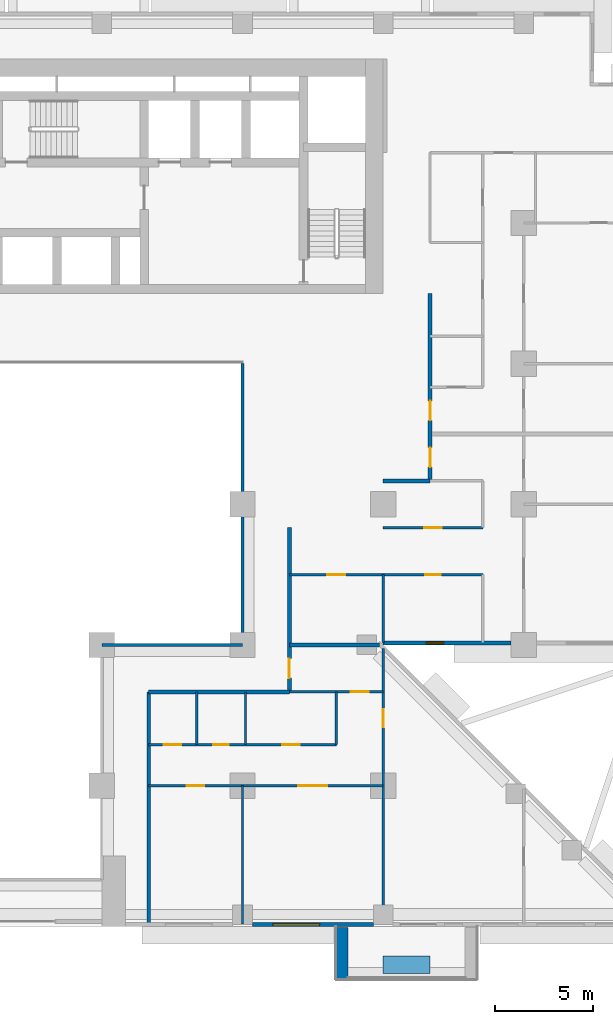
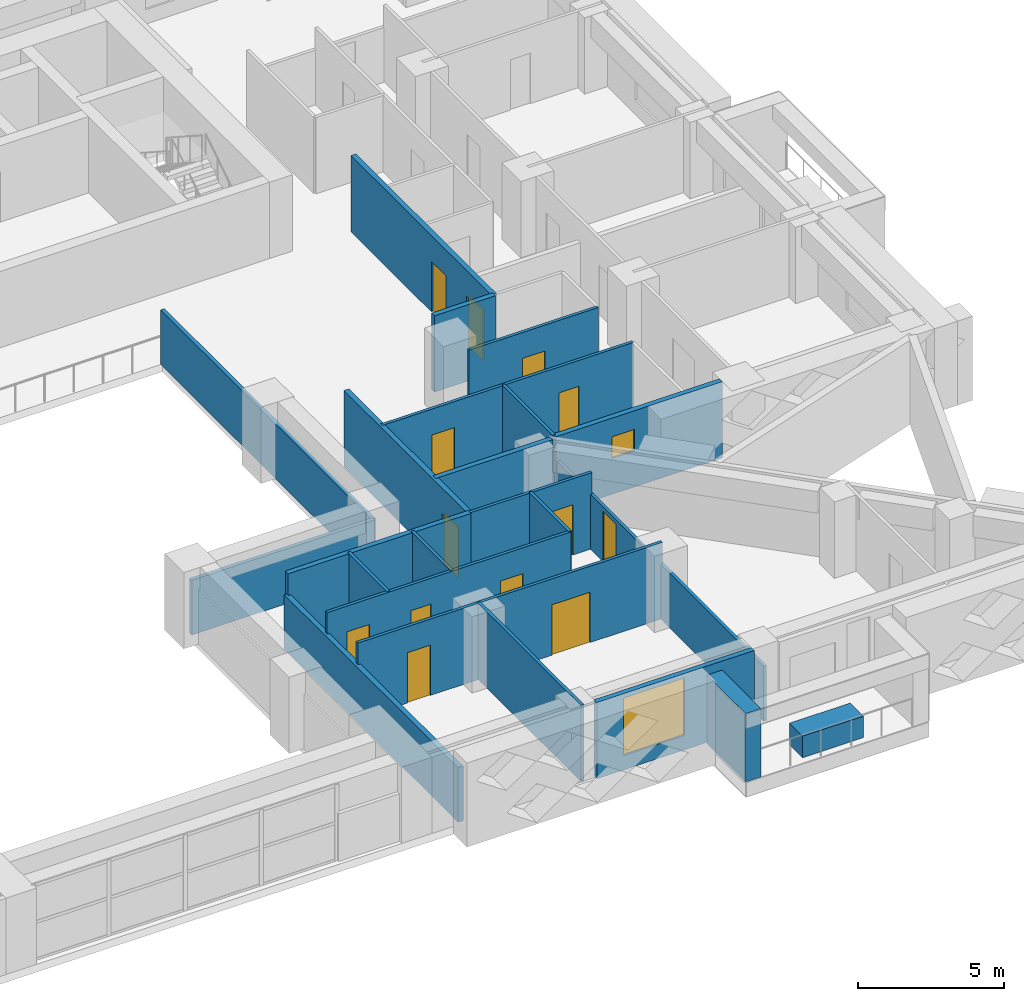
# One storey, part 8 of 17: 23 walls, 13 doors, 2 windows, 15 openings.
"""IFC4 building model written with IfcOpenShell, lengths in metres."""

from ifc_helpers import new_model, si_unit, direction, frame, frame_2d, origin, place, context, subcontext, project, spatial, rectangle, extrude, material, layer, layer_set, type_object, element, fill, save


model = new_model("IFC4")

# Units and contexts
model_context = context("Model", 3, precision=1e-05, world=origin(), true_north=direction((0.0, 1.0)))
body_context = subcontext(model_context, "Body", "Model", "MODEL_VIEW")
ifc_project = project(units=[si_unit("LENGTHUNIT", "METRE"), si_unit("AREAUNIT", "SQUARE_METRE"), si_unit("VOLUMEUNIT", "CUBIC_METRE"), si_unit("PLANEANGLEUNIT", "RADIAN"), si_unit("MASSUNIT", "GRAM", prefix="KILO")], contexts=[model_context])

# Site, building, storey
site_placement = place(None, origin())
site = spatial("IfcSite", under=ifc_project, at=site_placement, CompositionType="ELEMENT")
building_placement = place(site_placement, origin())
building = spatial("IfcBuilding", under=site, at=building_placement, Name="Saffron Iwan Residences", CompositionType="ELEMENT")
storey_placement = place(building_placement, frame((0.0, 0.0, 86.5)))
storey = spatial("IfcBuildingStorey", under=building, at=storey_placement, Name="L22", CompositionType="ELEMENT", Elevation=86.5)

# Walls
ifc_material_1 = material(Name="Fire-rated glazing", Category="glass")
ifc_layer_1 = layer(ifc_material_1, 0.14990234375)
ifc_layer_set_1 = layer_set([ifc_layer_1], Name="Fire-rated glazing")
wall_type_1 = type_object("IfcWallType", Name="Atrium glazed screen 150", PredefinedType="SOLIDWALL", material=ifc_layer_set_1)
wall_1_placement = place(storey_placement, frame((57.60009765625, 48.0, 0.0), z_axis=(0.0, 0.0, 1.0), x_axis=(1.0, 0.0, 0.0)))
element("IfcWall", 1, at=wall_1_placement, inside=storey, type_object=wall_type_1, Name="W-L22-SCREEN-h48-57.6", PredefinedType="SOLIDWALL", context=body_context, shape_type="SweptSolid", body=[
    extrude(rectangle(XDim=7.199951171875, YDim=0.14990234375, at=frame_2d((3.60009765625, 0.0))), origin(), (0.0, 0.0, 1.0), 2.280029296875),
])
wall_2_placement = place(storey_placement, frame((64.800048828125, 48.0, 0.0), z_axis=(0.0, 0.0, 1.0), x_axis=(0.0, 1.0, 0.0)))
element("IfcWall", 2, at=wall_2_placement, inside=storey, type_object=wall_type_1, Name="W-L22-SCREEN-v64.8-48", PredefinedType="SOLIDWALL", context=body_context, shape_type="SweptSolid", body=[
    extrude(rectangle(XDim=14.39990234375, YDim=0.14990234375, at=frame_2d((7.199951171875, 0.0))), origin(), (0.0, 0.0, 1.0), 2.280029296875),
])
ifc_material_2 = material(Name="Concrete C50/60 white painted", Category="concrete")
ifc_layer_2 = layer(ifc_material_2, 0.60009765625)
ifc_layer_set_2 = layer_set([ifc_layer_2], Name="Concrete C50/60 white painted")
wall_type_2 = type_object("IfcWallType", Name="BALCONY FIN 600", PredefinedType="SOLIDWALL", material=ifc_layer_set_2)
wall_3_placement = place(storey_placement, frame((69.89990234375, 33.550048828125, 0.0), z_axis=(0.0, 0.0, 1.0), x_axis=(0.0, -1.0, 0.0)))
element("IfcWall", 3, at=wall_3_placement, inside=storey, type_object=wall_type_2, Name="Balcony fin L22 11-1a", PredefinedType="SOLIDWALL", context=body_context, shape_type="SweptSolid", body=[
    extrude(rectangle(XDim=2.650146484375, YDim=0.60009765625, at=frame_2d((1.3251953125, 0.0))), origin(), (0.0, 0.0, 1.0), 2.85009765625),
])
ifc_material_3 = material(Name="Concrete C35/45 white painted", Category="concrete")
ifc_layer_3 = layer(ifc_material_3, 0.14990234375)
ifc_layer_set_3 = layer_set([ifc_layer_3], Name="Concrete C35/45 white painted")
wall_type_3 = type_object("IfcWallType", Name="BALCONY PLANTER", PredefinedType="SOLIDWALL", material=ifc_layer_set_3)
wall_4_placement = place(storey_placement, frame((72.0, 31.625, 0.0), z_axis=(0.0, 0.0, 1.0), x_axis=(1.0, 0.0, 0.0)))
element("IfcWall", 4, at=wall_4_placement, inside=storey, type_object=wall_type_3, Name="PLANTER L22 11-1", PredefinedType="SOLIDWALL", context=body_context, shape_type="SweptSolid", body=[
    extrude(rectangle(XDim=2.39990234375, YDim=0.89990234375, at=frame_2d((1.199951171875, 0.0))), origin(), (0.0, 0.0, 1.0), 0.89990234375),
])

# Wall, opening, window
ifc_material_4 = material(Name="Concrete C40/50", Category="concrete")
ifc_layer_4 = layer(ifc_material_4, 0.199951171875)
ifc_layer_set_4 = layer_set([ifc_layer_4], Name="Concrete C40/50")
wall_type_4 = type_object("IfcWallType", Name="EXTERNAL WALL 200", PredefinedType="SOLIDWALL", material=ifc_layer_set_4)
wall_5_placement = place(storey_placement, frame((71.988525390625, 48.10009765625, 0.0), z_axis=(0.0, 0.0, 1.0), x_axis=(1.0, 0.0, 0.0)))
wall_5 = element("IfcWall", 5, at=wall_5_placement, inside=storey, type_object=wall_type_4, Name="External wall L22 F1.0", PredefinedType="SOLIDWALL", context=body_context, shape_type="SweptSolid", body=[
    extrude(rectangle(XDim=6.5615234375, YDim=0.199951171875, at=frame_2d((3.28076171875, 0.0))), origin(), (0.0, 0.0, 1.0), 3.179931640625),
])
opening_1_placement = place(wall_5_placement, frame((2.205810546875, 0.0, 1.5)))
opening_1 = element("IfcOpeningElement", 6, at=opening_1_placement, cuts=wall_5, Name="Opening W6", PredefinedType="OPENING", context=body_context, shape_type="SweptSolid", body=[
    extrude(rectangle(XDim=0.89990234375, YDim=0.89990234375, at=frame_2d((0.449951171875, 0.449951171875))), frame((0.0, 0.10986328125, 0.0), z_axis=(0.0, -1.0, 0.0), x_axis=(1.0, 0.0, 0.0)), (0.0, 0.0, 1.0), 0.219970703125),
])
ifc_material_5 = material(Name="Clear glass, laminated double glazed", Category="glass")
window_type_1 = type_object("IfcWindowType", Name="WINDOW 900 x 900 BATH", PartitioningType="SINGLE_PANEL", PredefinedType="WINDOW", material=ifc_material_5)
window_1_placement = place(opening_1_placement, origin())
window_1 = element("IfcWindow", 7, at=window_1_placement, inside=storey, type_object=window_type_1, Name="Window L22 F1.0", OverallHeight=0.89990234375, OverallWidth=0.89990234375, PartitioningType="SINGLE_PANEL", PredefinedType="WINDOW", context=body_context, shape_type="SweptSolid", body=[
    extrude(rectangle(XDim=0.89990234375, YDim=0.89990234375, at=frame_2d((0.449951171875, 0.449951171875))), frame((0.0, 0.030029296875, 0.0), z_axis=(0.0, -1.0, 0.0), x_axis=(1.0, 0.0, 0.0)), (0.0, 0.0, 1.0), 0.06005859375),
])
fill(opening_1, window_1)

wall_6_placement = place(storey_placement, frame((65.300048828125, 33.699951171875, 0.0), z_axis=(0.0, 0.0, 1.0), x_axis=(1.0, 0.0, 0.0)))
wall_6 = element("IfcWall", 8, at=wall_6_placement, inside=storey, type_object=wall_type_4, Name="External wall L22 F11.5", PredefinedType="SOLIDWALL", context=body_context, shape_type="SweptSolid", body=[
    extrude(rectangle(XDim=6.199951171875, YDim=0.199951171875, at=frame_2d((3.10009765625, 0.0))), origin(), (0.0, 0.0, 1.0), 3.179931640625),
])
opening_2_placement = place(wall_6_placement, frame((1.050048828125, 0.0, 0.60009765625)))
opening_2 = element("IfcOpeningElement", 9, at=opening_2_placement, cuts=wall_6, Name="Opening W1", PredefinedType="OPENING", context=body_context, shape_type="SweptSolid", body=[
    extrude(rectangle(XDim=2.39990234375, YDim=2.39990234375, at=frame_2d((1.199951171875, 1.199951171875))), frame((0.0, 0.10986328125, 0.0), z_axis=(0.0, -1.0, 0.0), x_axis=(1.0, 0.0, 0.0)), (0.0, 0.0, 1.0), 0.219970703125),
])
window_type_2 = type_object("IfcWindowType", Name="WINDOW 2400 x 2400", PartitioningType="DOUBLE_PANEL_VERTICAL", PredefinedType="WINDOW", material=ifc_material_5)
window_2_placement = place(opening_2_placement, origin())
window_2 = element("IfcWindow", 10, at=window_2_placement, inside=storey, type_object=window_type_2, Name="Window L22 F11.0", OverallHeight=2.39990234375, OverallWidth=2.39990234375, PartitioningType="DOUBLE_PANEL_VERTICAL", PredefinedType="WINDOW", context=body_context, shape_type="SweptSolid", body=[
    extrude(rectangle(XDim=2.39990234375, YDim=2.39990234375, at=frame_2d((1.199951171875, 1.199951171875))), frame((0.0, 0.030029296875, 0.0), z_axis=(0.0, -1.0, 0.0), x_axis=(1.0, 0.0, 0.0)), (0.0, 0.0, 1.0), 0.06005859375),
])
fill(opening_2, window_2)

# Wall
ifc_material_6 = material(Name="Fire-rated gypsum board wall")
ifc_layer_5 = layer(ifc_material_6, 0.199951171875)
ifc_layer_set_5 = layer_set([ifc_layer_5], Name="Fire-rated gypsum board wall")
wall_type_5 = type_object("IfcWallType", Name="Flat demising wall 200", PredefinedType="SOLIDWALL", material=ifc_layer_set_5)
wall_7_placement = place(storey_placement, frame((67.199951171875, 48.0, 0.0), z_axis=(0.0, 0.0, 1.0), x_axis=(1.0, 0.0, 0.0)))
element("IfcWall", 11, at=wall_7_placement, inside=storey, type_object=wall_type_5, Name="W-L22-DEMISE-h48-67.2", PredefinedType="SOLIDWALL", context=body_context, shape_type="SweptSolid", body=[
    extrude(rectangle(XDim=4.623046875, YDim=0.199951171875, at=frame_2d((2.3115234375, 0.0))), origin(), (0.0, 0.0, 1.0), 3.179931640625),
])

# Wall, openings, doors
ifc_material_7 = material(Name="Gypsum board partition")
ifc_layer_6 = layer(ifc_material_7, 0.1201171875)
ifc_layer_set_6 = layer_set([ifc_layer_6], Name="Gypsum board partition")
wall_type_6 = type_object("IfcWallType", Name="Flat partition 120", PredefinedType="PARTITIONING", material=ifc_layer_set_6)
wall_8_placement = place(storey_placement, frame((60.0, 40.800048828125, 0.0), z_axis=(0.0, 0.0, 1.0), x_axis=(1.0, 0.0, 0.0)))
wall_8 = element("IfcWall", 12, at=wall_8_placement, inside=storey, type_object=wall_type_6, Name="W-L22-PART-h40.8-60", PredefinedType="PARTITIONING", context=body_context, shape_type="SweptSolid", body=[
    extrude(rectangle(XDim=12.0, YDim=0.1201171875, at=frame_2d((6.0, 0.0))), origin(), (0.0, 0.0, 1.0), 3.179931640625),
])
opening_3_placement = place(wall_8_placement, frame((7.64990234375, 0.0, 0.0)))
opening_3 = element("IfcOpeningElement", 13, at=opening_3_placement, cuts=wall_8, Name="Opening FD4", PredefinedType="OPENING", context=body_context, shape_type="SweptSolid", body=[
    extrude(rectangle(XDim=1.5, YDim=2.10009765625, at=frame_2d((0.75, 1.050048828125))), frame((0.0, 0.070068359375, 0.0), z_axis=(0.0, -1.0, 0.0), x_axis=(1.0, 0.0, 0.0)), (0.0, 0.0, 1.0), 0.14013671875),
])
opening_4_placement = place(wall_8_placement, frame((1.949951171875, 0.0, 0.0)))
opening_4 = element("IfcOpeningElement", 14, at=opening_4_placement, cuts=wall_8, Name="Opening FD2", PredefinedType="OPENING", context=body_context, shape_type="SweptSolid", body=[
    extrude(rectangle(XDim=0.89990234375, YDim=2.10009765625, at=frame_2d((0.449951171875, 1.050048828125))), frame((0.0, 0.070068359375, 0.0), z_axis=(0.0, -1.0, 0.0), x_axis=(1.0, 0.0, 0.0)), (0.0, 0.0, 1.0), 0.14013671875),
])
ifc_material_8 = material(Name="Timber door", Category="wood")
door_type_1 = type_object("IfcDoorType", Name="Double door 1500", OperationType="NOTDEFINED", PredefinedType="DOOR", material=ifc_material_8)
door_1_placement = place(opening_3_placement, origin())
door_1 = element("IfcDoor", 15, at=door_1_placement, inside=storey, type_object=door_type_1, Name="Door L22-044", OperationType="SINGLE_SWING_LEFT", OverallHeight=2.10009765625, OverallWidth=1.5, PredefinedType="DOOR", context=body_context, shape_type="SweptSolid", body=[
    extrude(rectangle(XDim=1.5, YDim=2.10009765625, at=frame_2d((0.75, 1.050048828125))), frame((0.0, 0.02490234375, 0.0), z_axis=(0.0, -1.0, 0.0), x_axis=(1.0, 0.0, 0.0)), (0.0, 0.0, 1.0), 0.050048828125),
])
fill(opening_3, door_1)
door_type_2 = type_object("IfcDoorType", Name="Flat door 900", OperationType="NOTDEFINED", PredefinedType="DOOR", material=ifc_material_8)
door_2_placement = place(opening_4_placement, origin())
door_2 = element("IfcDoor", 16, at=door_2_placement, inside=storey, type_object=door_type_2, Name="Door L22-045", OperationType="SINGLE_SWING_RIGHT", OverallHeight=2.10009765625, OverallWidth=0.89990234375, PredefinedType="DOOR", context=body_context, shape_type="SweptSolid", body=[
    extrude(rectangle(XDim=0.89990234375, YDim=2.10009765625, at=frame_2d((0.449951171875, 1.050048828125))), frame((0.0, 0.02490234375, 0.0), z_axis=(0.0, -1.0, 0.0), x_axis=(1.0, 0.0, 0.0)), (0.0, 0.0, 1.0), 0.050048828125),
])
fill(opening_4, door_2)

wall_9_placement = place(storey_placement, frame((60.0, 42.89990234375, 0.0), z_axis=(0.0, 0.0, 1.0), x_axis=(1.0, 0.0, 0.0)))
wall_9 = element("IfcWall", 17, at=wall_9_placement, inside=storey, type_object=wall_type_6, Name="W-L22-PART-h42.9-60", PredefinedType="PARTITIONING", context=body_context, shape_type="SweptSolid", body=[
    extrude(rectangle(XDim=9.60009765625, YDim=0.1201171875, at=frame_2d((4.800048828125, 0.0))), origin(), (0.0, 0.0, 1.0), 3.179931640625),
])
opening_5_placement = place(wall_9_placement, frame((6.824951171875, 0.0, 0.0)))
opening_5 = element("IfcOpeningElement", 18, at=opening_5_placement, cuts=wall_9, Name="Opening FD2", PredefinedType="OPENING", context=body_context, shape_type="SweptSolid", body=[
    extrude(rectangle(XDim=0.89990234375, YDim=2.10009765625, at=frame_2d((0.449951171875, 1.050048828125))), frame((0.0, 0.070068359375, 0.0), z_axis=(0.0, -1.0, 0.0), x_axis=(1.0, 0.0, 0.0)), (0.0, 0.0, 1.0), 0.14013671875),
])
opening_6_placement = place(wall_9_placement, frame((3.300048828125, 0.0, 0.0)))
opening_6 = element("IfcOpeningElement", 19, at=opening_6_placement, cuts=wall_9, Name="Opening FD3", PredefinedType="OPENING", context=body_context, shape_type="SweptSolid", body=[
    extrude(rectangle(XDim=0.800048828125, YDim=2.10009765625, at=frame_2d((0.39990234375, 1.050048828125))), frame((0.0, 0.070068359375, 0.0), z_axis=(0.0, -1.0, 0.0), x_axis=(1.0, 0.0, 0.0)), (0.0, 0.0, 1.0), 0.14013671875),
])
opening_7_placement = place(wall_9_placement, frame((0.77490234375, 0.0, 0.0)))
opening_7 = element("IfcOpeningElement", 20, at=opening_7_placement, cuts=wall_9, Name="Opening FD2", PredefinedType="OPENING", context=body_context, shape_type="SweptSolid", body=[
    extrude(rectangle(XDim=0.89990234375, YDim=2.10009765625, at=frame_2d((0.449951171875, 1.050048828125))), frame((0.0, 0.070068359375, 0.0), z_axis=(0.0, -1.0, 0.0), x_axis=(1.0, 0.0, 0.0)), (0.0, 0.0, 1.0), 0.14013671875),
])
door_type_3 = type_object("IfcDoorType", Name="Bathroom door 800", OperationType="NOTDEFINED", PredefinedType="DOOR", material=ifc_material_8)
door_3_placement = place(opening_6_placement, origin())
door_3 = element("IfcDoor", 21, at=door_3_placement, inside=storey, type_object=door_type_3, Name="Door L22-047", OperationType="SINGLE_SWING_LEFT", OverallHeight=2.10009765625, OverallWidth=0.800048828125, PredefinedType="DOOR", context=body_context, shape_type="SweptSolid", body=[
    extrude(rectangle(XDim=0.800048828125, YDim=2.10009765625, at=frame_2d((0.39990234375, 1.050048828125))), frame((0.0, 0.02490234375, 0.0), z_axis=(0.0, -1.0, 0.0), x_axis=(1.0, 0.0, 0.0)), (0.0, 0.0, 1.0), 0.050048828125),
])
fill(opening_6, door_3)
door_4_placement = place(opening_5_placement, origin())
door_4 = element("IfcDoor", 22, at=door_4_placement, inside=storey, type_object=door_type_2, Name="Door L22-046", OperationType="SINGLE_SWING_LEFT", OverallHeight=2.10009765625, OverallWidth=0.89990234375, PredefinedType="DOOR", context=body_context, shape_type="SweptSolid", body=[
    extrude(rectangle(XDim=0.89990234375, YDim=2.10009765625, at=frame_2d((0.449951171875, 1.050048828125))), frame((0.0, 0.02490234375, 0.0), z_axis=(0.0, -1.0, 0.0), x_axis=(1.0, 0.0, 0.0)), (0.0, 0.0, 1.0), 0.050048828125),
])
fill(opening_5, door_4)
door_5_placement = place(opening_7_placement, origin())
door_5 = element("IfcDoor", 23, at=door_5_placement, inside=storey, type_object=door_type_2, Name="Door L22-048", OperationType="SINGLE_SWING_RIGHT", OverallHeight=2.10009765625, OverallWidth=0.89990234375, PredefinedType="DOOR", context=body_context, shape_type="SweptSolid", body=[
    extrude(rectangle(XDim=0.89990234375, YDim=2.10009765625, at=frame_2d((0.449951171875, 1.050048828125))), frame((0.0, 0.02490234375, 0.0), z_axis=(0.0, -1.0, 0.0), x_axis=(1.0, 0.0, 0.0)), (0.0, 0.0, 1.0), 0.050048828125),
])
fill(opening_7, door_5)

# Wall, opening, door
wall_10_placement = place(storey_placement, frame((67.199951171875, 45.60009765625, 0.0), z_axis=(0.0, 0.0, 1.0), x_axis=(1.0, 0.0, 0.0)))
wall_10 = element("IfcWall", 24, at=wall_10_placement, inside=storey, type_object=wall_type_6, Name="W-L22-PART-h45.6-67.2", PredefinedType="PARTITIONING", context=body_context, shape_type="SweptSolid", body=[
    extrude(rectangle(XDim=4.800048828125, YDim=0.1201171875, at=frame_2d((2.39990234375, 0.0))), origin(), (0.0, 0.0, 1.0), 3.179931640625),
])
opening_8_placement = place(wall_10_placement, frame((3.14990234375, 0.0, 0.0)))
opening_8 = element("IfcOpeningElement", 25, at=opening_8_placement, cuts=wall_10, Name="Opening FD2", PredefinedType="OPENING", context=body_context, shape_type="SweptSolid", body=[
    extrude(rectangle(XDim=0.89990234375, YDim=2.10009765625, at=frame_2d((0.449951171875, 1.050048828125))), frame((0.0, 0.070068359375, 0.0), z_axis=(0.0, -1.0, 0.0), x_axis=(1.0, 0.0, 0.0)), (0.0, 0.0, 1.0), 0.14013671875),
])
door_6_placement = place(opening_8_placement, origin())
door_6 = element("IfcDoor", 26, at=door_6_placement, inside=storey, type_object=door_type_2, Name="Door L22-042", OperationType="SINGLE_SWING_RIGHT", OverallHeight=2.10009765625, OverallWidth=0.89990234375, PredefinedType="DOOR", context=body_context, shape_type="SweptSolid", body=[
    extrude(rectangle(XDim=0.89990234375, YDim=2.10009765625, at=frame_2d((0.449951171875, 1.050048828125))), frame((0.0, 0.02490234375, 0.0), z_axis=(0.0, -1.0, 0.0), x_axis=(1.0, 0.0, 0.0)), (0.0, 0.0, 1.0), 0.050048828125),
])
fill(opening_8, door_6)

# Wall, openings, doors
wall_11_placement = place(storey_placement, frame((67.199951171875, 51.60009765625, 0.0), z_axis=(0.0, 0.0, 1.0), x_axis=(1.0, 0.0, 0.0)))
wall_11 = element("IfcWall", 27, at=wall_11_placement, inside=storey, type_object=wall_type_6, Name="W-L22-PART-h51.6-67.2", PredefinedType="PARTITIONING", context=body_context, shape_type="SweptSolid", body=[
    extrude(rectangle(XDim=9.900146484375, YDim=0.1201171875, at=frame_2d((4.9501953125, 0.0))), origin(), (0.0, 0.0, 1.0), 3.179931640625),
])
opening_9_placement = place(wall_11_placement, frame((6.949951171875, 0.0, 0.0)))
opening_9 = element("IfcOpeningElement", 28, at=opening_9_placement, cuts=wall_11, Name="Opening FD3", PredefinedType="OPENING", context=body_context, shape_type="SweptSolid", body=[
    extrude(rectangle(XDim=0.800048828125, YDim=2.10009765625, at=frame_2d((0.39990234375, 1.050048828125))), frame((0.0, 0.070068359375, 0.0), z_axis=(0.0, -1.0, 0.0), x_axis=(1.0, 0.0, 0.0)), (0.0, 0.0, 1.0), 0.14013671875),
])
opening_10_placement = place(wall_11_placement, frame((1.949951171875, 0.0, 0.0)))
opening_10 = element("IfcOpeningElement", 29, at=opening_10_placement, cuts=wall_11, Name="Opening FD2", PredefinedType="OPENING", context=body_context, shape_type="SweptSolid", body=[
    extrude(rectangle(XDim=0.89990234375, YDim=2.10009765625, at=frame_2d((0.449951171875, 1.050048828125))), frame((0.0, 0.070068359375, 0.0), z_axis=(0.0, -1.0, 0.0), x_axis=(1.0, 0.0, 0.0)), (0.0, 0.0, 1.0), 0.14013671875),
])
door_7_placement = place(opening_9_placement, origin())
door_7 = element("IfcDoor", 30, at=door_7_placement, inside=storey, type_object=door_type_3, Name="Door L22-024", OperationType="SINGLE_SWING_RIGHT", OverallHeight=2.10009765625, OverallWidth=0.800048828125, PredefinedType="DOOR", context=body_context, shape_type="SweptSolid", body=[
    extrude(rectangle(XDim=0.800048828125, YDim=2.10009765625, at=frame_2d((0.39990234375, 1.050048828125))), frame((0.0, 0.02490234375, 0.0), z_axis=(0.0, -1.0, 0.0), x_axis=(1.0, 0.0, 0.0)), (0.0, 0.0, 1.0), 0.050048828125),
])
fill(opening_9, door_7)
door_8_placement = place(opening_10_placement, origin())
door_8 = element("IfcDoor", 31, at=door_8_placement, inside=storey, type_object=door_type_2, Name="Door L22-026", OperationType="SINGLE_SWING_LEFT", OverallHeight=2.10009765625, OverallWidth=0.89990234375, PredefinedType="DOOR", context=body_context, shape_type="SweptSolid", body=[
    extrude(rectangle(XDim=0.89990234375, YDim=2.10009765625, at=frame_2d((0.449951171875, 1.050048828125))), frame((0.0, 0.02490234375, 0.0), z_axis=(0.0, -1.0, 0.0), x_axis=(1.0, 0.0, 0.0)), (0.0, 0.0, 1.0), 0.050048828125),
])
fill(opening_10, door_8)

# Wall, opening, door
wall_12_placement = place(storey_placement, frame((72.0, 54.0, 0.0), z_axis=(0.0, 0.0, 1.0), x_axis=(1.0, 0.0, 0.0)))
wall_12 = element("IfcWall", 32, at=wall_12_placement, inside=storey, type_object=wall_type_6, Name="W-L22-PART-h54-72", PredefinedType="PARTITIONING", context=body_context, shape_type="SweptSolid", body=[
    extrude(rectangle(XDim=5.10009765625, YDim=0.1201171875, at=frame_2d((2.550048828125, 0.0))), origin(), (0.0, 0.0, 1.0), 3.179931640625),
])
opening_11_placement = place(wall_12_placement, frame((2.10009765625, 0.0, 0.0)))
opening_11 = element("IfcOpeningElement", 33, at=opening_11_placement, cuts=wall_12, Name="Opening FD2", PredefinedType="OPENING", context=body_context, shape_type="SweptSolid", body=[
    extrude(rectangle(XDim=0.89990234375, YDim=2.10009765625, at=frame_2d((0.449951171875, 1.050048828125))), frame((0.0, 0.070068359375, 0.0), z_axis=(0.0, -1.0, 0.0), x_axis=(1.0, 0.0, 0.0)), (0.0, 0.0, 1.0), 0.14013671875),
])
door_9_placement = place(opening_11_placement, origin())
door_9 = element("IfcDoor", 34, at=door_9_placement, inside=storey, type_object=door_type_2, Name="Door L22-025", OperationType="SINGLE_SWING_LEFT", OverallHeight=2.10009765625, OverallWidth=0.89990234375, PredefinedType="DOOR", context=body_context, shape_type="SweptSolid", body=[
    extrude(rectangle(XDim=0.89990234375, YDim=2.10009765625, at=frame_2d((0.449951171875, 1.050048828125))), frame((0.0, 0.02490234375, 0.0), z_axis=(0.0, -1.0, 0.0), x_axis=(1.0, 0.0, 0.0)), (0.0, 0.0, 1.0), 0.050048828125),
])
fill(opening_11, door_9)

# Walls
wall_13_placement = place(storey_placement, frame((62.449951171875, 42.89990234375, 0.0), z_axis=(0.0, 0.0, 1.0), x_axis=(0.0, 1.0, 0.0)))
element("IfcWall", 35, at=wall_13_placement, inside=storey, type_object=wall_type_6, Name="W-L22-PART-v62.45-42.9", PredefinedType="PARTITIONING", context=body_context, shape_type="SweptSolid", body=[
    extrude(rectangle(XDim=2.7001953125, YDim=0.1201171875, at=frame_2d((1.35009765625, 0.0))), origin(), (0.0, 0.0, 1.0), 3.179931640625),
])
wall_14_placement = place(storey_placement, frame((64.800048828125, 33.72509765625, 0.0), z_axis=(0.0, 0.0, 1.0), x_axis=(0.0, 1.0, 0.0)))
element("IfcWall", 36, at=wall_14_placement, inside=storey, type_object=wall_type_6, Name="W-L22-PART-v64.8-33.725", PredefinedType="PARTITIONING", context=body_context, shape_type="SweptSolid", body=[
    extrude(rectangle(XDim=7.074951171875, YDim=0.1201171875, at=frame_2d((3.53759765625, 0.0))), origin(), (0.0, 0.0, 1.0), 3.179931640625),
])
for number, where, z_axis, x_axis, name in (
    (37, (64.949951171875, 42.89990234375, 0.0), (0.0, 0.0, 1.0), (0.0, 1.0, 0.0), "W-L22-PART-v64.95-42.9"),
    (38, (69.60009765625, 42.89990234375, 0.0), (0.0, 0.0, 1.0), (0.0, 1.0, 0.0), "W-L22-PART-v69.6-42.9"),
):
    element("IfcWall", number, at=place(storey_placement, frame(where, z_axis=z_axis, x_axis=x_axis)), inside=storey, type_object=wall_type_6, Name=name, PredefinedType="PARTITIONING", context=body_context, shape_type="SweptSolid", body=[
        extrude(rectangle(XDim=2.7001953125, YDim=0.1201171875, at=frame_2d((1.35009765625, 0.0))), origin(), (0.0, 0.0, 1.0), 3.179931640625),
    ])

# Wall, opening, door
wall_15_placement = place(storey_placement, frame((72.0, 33.72509765625, 0.0), z_axis=(0.0, 0.0, 1.0), x_axis=(0.0, 1.0, 0.0)))
wall_15 = element("IfcWall", 39, at=wall_15_placement, inside=storey, type_object=wall_type_6, Name="W-L22-PART-v72-33.725", PredefinedType="PARTITIONING", context=body_context, shape_type="SweptSolid", body=[
    extrude(rectangle(XDim=14.097900390625, YDim=0.1201171875, at=frame_2d((7.048828125, 0.0))), origin(), (0.0, 0.0, 1.0), 2.280029296875),
])
opening_12_placement = place(wall_15_placement, frame((10.074951171875, 0.0, 0.0)))
opening_12 = element("IfcOpeningElement", 40, at=opening_12_placement, cuts=wall_15, Name="Opening FD2", PredefinedType="OPENING", context=body_context, shape_type="SweptSolid", body=[
    extrude(rectangle(XDim=0.89990234375, YDim=2.10009765625, at=frame_2d((0.449951171875, 1.050048828125))), frame((0.0, 0.070068359375, 0.0), z_axis=(0.0, -1.0, 0.0), x_axis=(1.0, 0.0, 0.0)), (0.0, 0.0, 1.0), 0.14013671875),
])
door_10_placement = place(opening_12_placement, origin())
door_10 = element("IfcDoor", 41, at=door_10_placement, inside=storey, type_object=door_type_2, Name="Door L22-049", OperationType="SINGLE_SWING_LEFT", OverallHeight=2.10009765625, OverallWidth=0.89990234375, PredefinedType="DOOR", context=body_context, shape_type="SweptSolid", body=[
    extrude(rectangle(XDim=0.89990234375, YDim=2.10009765625, at=frame_2d((0.449951171875, 1.050048828125))), frame((0.0, 0.02490234375, 0.0), z_axis=(0.0, -1.0, 0.0), x_axis=(1.0, 0.0, 0.0)), (0.0, 0.0, 1.0), 0.050048828125),
])
fill(opening_12, door_10)

# Walls
wall_16_placement = place(storey_placement, frame((72.0, 48.125, 0.0), z_axis=(0.0, 0.0, 1.0), x_axis=(0.0, 1.0, 0.0)))
element("IfcWall", 42, at=wall_16_placement, inside=storey, type_object=wall_type_6, Name="W-L22-PART-v72-48.125", PredefinedType="PARTITIONING", context=body_context, shape_type="SweptSolid", body=[
    extrude(rectangle(XDim=3.47509765625, YDim=0.1201171875, at=frame_2d((1.737548828125, 0.0))), origin(), (0.0, 0.0, 1.0), 3.179931640625),
])
ifc_layer_7 = layer(ifc_material_6, 0.199951171875)
ifc_layer_set_7 = layer_set([ifc_layer_7], Name="Fire-rated gypsum board wall")
wall_type_7 = type_object("IfcWallType", Name="Gallery wall 200", PredefinedType="SOLIDWALL", material=ifc_layer_set_7)
wall_17_placement = place(storey_placement, frame((60.0, 45.60009765625, 0.0), z_axis=(0.0, 0.0, 1.0), x_axis=(1.0, 0.0, 0.0)))
element("IfcWall", 43, at=wall_17_placement, inside=storey, type_object=wall_type_7, Name="W-L22-CORR-h45.6-60", PredefinedType="SOLIDWALL", context=body_context, shape_type="SweptSolid", body=[
    extrude(rectangle(XDim=7.199951171875, YDim=0.199951171875, at=frame_2d((3.60009765625, 0.0))), origin(), (0.0, 0.0, 1.0), 3.179931640625),
])
wall_18_placement = place(storey_placement, frame((72.0, 56.39990234375, 0.0), z_axis=(0.0, 0.0, 1.0), x_axis=(1.0, 0.0, 0.0)))
element("IfcWall", 44, at=wall_18_placement, inside=storey, type_object=wall_type_7, Name="W-L22-CORR-h56.4-72", PredefinedType="SOLIDWALL", context=body_context, shape_type="SweptSolid", body=[
    extrude(rectangle(XDim=2.39990234375, YDim=0.199951171875, at=frame_2d((1.199951171875, 0.0))), origin(), (0.0, 0.0, 1.0), 3.179931640625),
])
wall_19_placement = place(storey_placement, frame((60.0, 33.72509765625, 0.0), z_axis=(0.0, 0.0, 1.0), x_axis=(0.0, 1.0, 0.0)))
element("IfcWall", 45, at=wall_19_placement, inside=storey, type_object=wall_type_7, Name="W-L22-CORR-v60-33.725", PredefinedType="SOLIDWALL", context=body_context, shape_type="SweptSolid", body=[
    extrude(rectangle(XDim=11.875, YDim=0.199951171875, at=frame_2d((5.9375, 0.0))), origin(), (0.0, 0.0, 1.0), 2.280029296875),
])

# Wall, opening, door
wall_20_placement = place(storey_placement, frame((67.199951171875, 45.60009765625, 0.0), z_axis=(0.0, 0.0, 1.0), x_axis=(0.0, 1.0, 0.0)))
wall_20 = element("IfcWall", 46, at=wall_20_placement, inside=storey, type_object=wall_type_7, Name="W-L22-CORR-v67.2-45.6", PredefinedType="SOLIDWALL", context=body_context, shape_type="SweptSolid", body=[
    extrude(rectangle(XDim=8.39990234375, YDim=0.199951171875, at=frame_2d((4.199951171875, 0.0))), origin(), (0.0, 0.0, 1.0), 3.179931640625),
])
opening_13_placement = place(wall_20_placement, frame((0.699951171875, 0.0, 0.0)))
opening_13 = element("IfcOpeningElement", 47, at=opening_13_placement, cuts=wall_20, Name="Opening FD5", PredefinedType="OPENING", context=body_context, shape_type="SweptSolid", body=[
    extrude(rectangle(XDim=1.0, YDim=2.10009765625, at=frame_2d((0.5, 1.050048828125))), frame((0.0, 0.10986328125, 0.0), z_axis=(0.0, -1.0, 0.0), x_axis=(1.0, 0.0, 0.0)), (0.0, 0.0, 1.0), 0.219970703125),
])
ifc_material_9 = material(Name="Fire-rated timber door", Category="wood")
door_type_4 = type_object("IfcDoorType", Name="Lobby door 1000", OperationType="NOTDEFINED", PredefinedType="DOOR", material=ifc_material_9)
door_11_placement = place(opening_13_placement, origin())
door_11 = element("IfcDoor", 48, at=door_11_placement, inside=storey, type_object=door_type_4, Name="Door L22-043", OperationType="SINGLE_SWING_LEFT", OverallHeight=2.10009765625, OverallWidth=1.0, PredefinedType="DOOR", context=body_context, shape_type="SweptSolid", body=[
    extrude(rectangle(XDim=1.0, YDim=2.10009765625, at=frame_2d((0.5, 1.050048828125))), frame((0.0, 0.02490234375, 0.0), z_axis=(0.0, -1.0, 0.0), x_axis=(1.0, 0.0, 0.0)), (0.0, 0.0, 1.0), 0.050048828125),
])
fill(opening_13, door_11)

# Wall, openings, doors
wall_21_placement = place(storey_placement, frame((74.39990234375, 56.39990234375, 0.0), z_axis=(0.0, 0.0, 1.0), x_axis=(0.0, 1.0, 0.0)))
wall_21 = element("IfcWall", 49, at=wall_21_placement, inside=storey, type_object=wall_type_7, Name="W-L22-CORR-v74.4-56.4", PredefinedType="SOLIDWALL", context=body_context, shape_type="SweptSolid", body=[
    extrude(rectangle(XDim=9.60009765625, YDim=0.199951171875, at=frame_2d((4.800048828125, 0.0))), origin(), (0.0, 0.0, 1.0), 3.179931640625),
])
opening_14_placement = place(wall_21_placement, frame((0.699951171875, 0.0, 0.0)))
opening_14 = element("IfcOpeningElement", 50, at=opening_14_placement, cuts=wall_21, Name="Opening FD1", PredefinedType="OPENING", context=body_context, shape_type="SweptSolid", body=[
    extrude(rectangle(XDim=1.0, YDim=2.10009765625, at=frame_2d((0.5, 1.050048828125))), frame((0.0, 0.10986328125, 0.0), z_axis=(0.0, -1.0, 0.0), x_axis=(1.0, 0.0, 0.0)), (0.0, 0.0, 1.0), 0.219970703125),
])
opening_15_placement = place(wall_21_placement, frame((3.10009765625, 0.0, 0.0)))
opening_15 = element("IfcOpeningElement", 51, at=opening_15_placement, cuts=wall_21, Name="Opening FD1", PredefinedType="OPENING", context=body_context, shape_type="SweptSolid", body=[
    extrude(rectangle(XDim=1.0, YDim=2.10009765625, at=frame_2d((0.5, 1.050048828125))), frame((0.0, 0.10986328125, 0.0), z_axis=(0.0, -1.0, 0.0), x_axis=(1.0, 0.0, 0.0)), (0.0, 0.0, 1.0), 0.219970703125),
])
door_type_5 = type_object("IfcDoorType", Name="FD30S flat entrance door 1000", OperationType="NOTDEFINED", PredefinedType="DOOR", material=ifc_material_9)
door_12_placement = place(opening_14_placement, origin())
door_12 = element("IfcDoor", 52, at=door_12_placement, inside=storey, type_object=door_type_5, Name="Door L22-021", OperationType="SINGLE_SWING_RIGHT", OverallHeight=2.10009765625, OverallWidth=1.0, PredefinedType="DOOR", context=body_context, shape_type="SweptSolid", body=[
    extrude(rectangle(XDim=1.0, YDim=2.10009765625, at=frame_2d((0.5, 1.050048828125))), frame((0.0, 0.02490234375, 0.0), z_axis=(0.0, -1.0, 0.0), x_axis=(1.0, 0.0, 0.0)), (0.0, 0.0, 1.0), 0.050048828125),
])
fill(opening_14, door_12)
door_13_placement = place(opening_15_placement, origin())
door_13 = element("IfcDoor", 53, at=door_13_placement, inside=storey, type_object=door_type_5, Name="Door L22-034", OperationType="SINGLE_SWING_LEFT", OverallHeight=2.10009765625, OverallWidth=1.0, PredefinedType="DOOR", context=body_context, shape_type="SweptSolid", body=[
    extrude(rectangle(XDim=1.0, YDim=2.10009765625, at=frame_2d((0.5, 1.050048828125))), frame((0.0, 0.02490234375, 0.0), z_axis=(0.0, -1.0, 0.0), x_axis=(1.0, 0.0, 0.0)), (0.0, 0.0, 1.0), 0.050048828125),
])
fill(opening_15, door_13)

save(model, "model.ifc")
